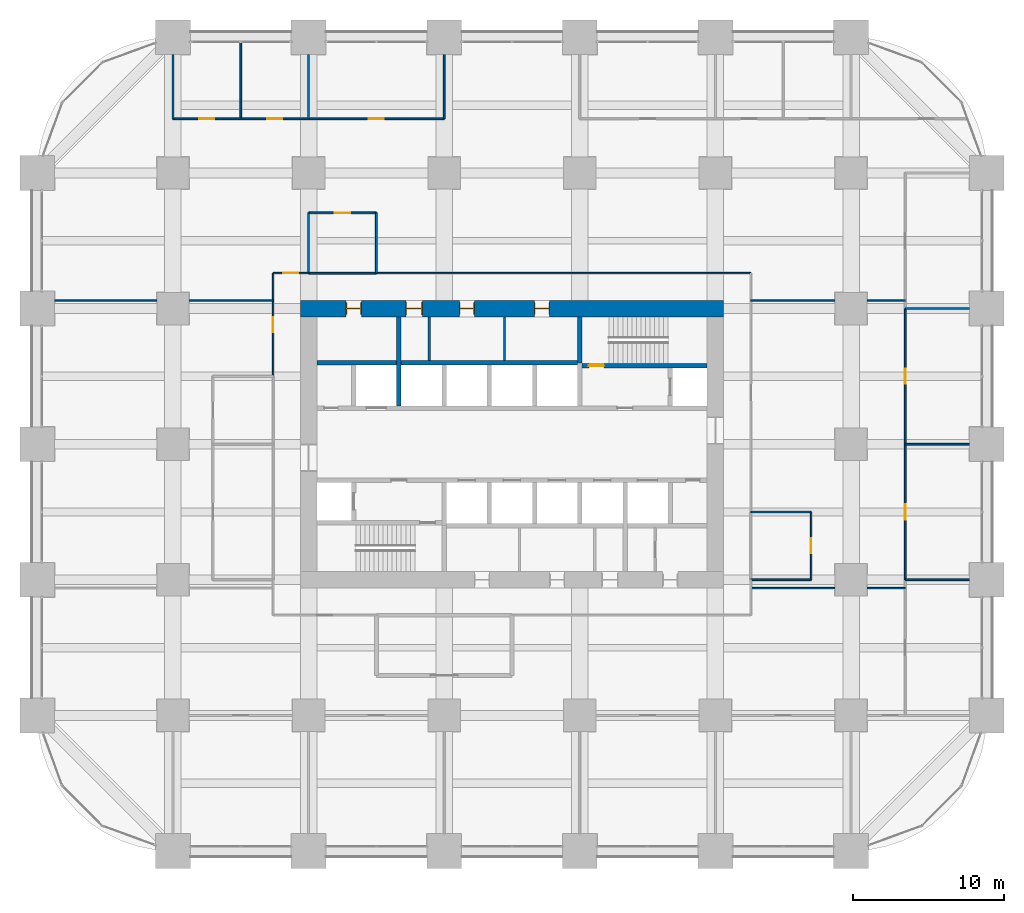
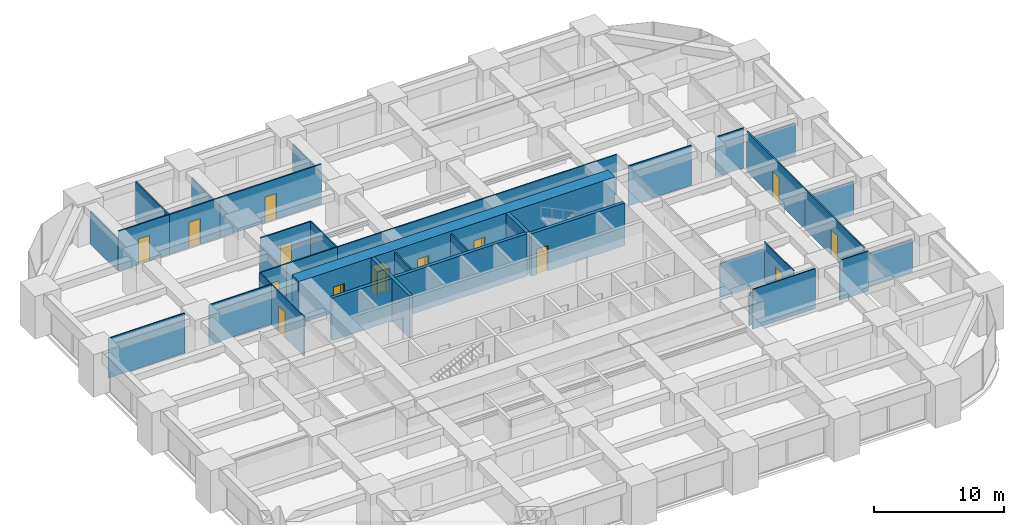
# One storey, part 41 of 44: 35 walls, 14 doors, 14 openings.
"""IFC4 building model written with IfcOpenShell, lengths in metres."""

from ifc_helpers import new_model, si_unit, direction, frame, frame_2d, origin, place, context, subcontext, project, spatial, rectangle, extrude, material, layer, layer_set, type_object, element, fill, save


model = new_model("IFC4")

# Units and contexts
model_context = context("Model", 3, precision=1e-05, world=origin(), true_north=direction((0.0, 1.0)))
body_context = subcontext(model_context, "Body", "Model", "MODEL_VIEW")
ifc_project = project(units=[si_unit("LENGTHUNIT", "METRE"), si_unit("AREAUNIT", "SQUARE_METRE"), si_unit("VOLUMEUNIT", "CUBIC_METRE"), si_unit("PLANEANGLEUNIT", "RADIAN"), si_unit("MASSUNIT", "GRAM", prefix="KILO")], contexts=[model_context])

# Site, building, storey
site_placement = place(None, origin())
site = spatial("IfcSite", under=ifc_project, at=site_placement, CompositionType="ELEMENT")
building_placement = place(site_placement, origin())
building = spatial("IfcBuilding", under=site, at=building_placement, Name="Zorevar Civic Tower", CompositionType="ELEMENT")
storey_placement = place(building_placement, frame((0.0, 0.0, 55.800048828125)))
storey = spatial("IfcBuildingStorey", under=building, at=storey_placement, Name="L13", CompositionType="ELEMENT", Elevation=55.800048828125)

# Wall, openings, doors
ifc_material_1 = material(Name="Concrete C50/60", Category="concrete")
ifc_layer_1 = layer(ifc_material_1, 1.10009765625)
ifc_layer_set_1 = layer_set([ifc_layer_1], Name="Core wall 1100")
wall_type_1 = type_object("IfcWallType", Name="Core wall 1100", PredefinedType="SHEAR", material=ifc_layer_set_1)
wall_1_placement = place(storey_placement, frame((45.550048828125, 36.0, 0.0), z_axis=(0.0, 0.0, 1.0), x_axis=(-1.0, 0.0, 0.0)))
wall_1 = element("IfcWall", 1, at=wall_1_placement, inside=storey, type_object=wall_type_1, Name="Core wall N L13", PredefinedType="SHEAR", context=body_context, shape_type="SweptSolid", body=[
    extrude(rectangle(XDim=28.10009765625, YDim=1.10009765625, at=frame_2d((14.050048828125, 0.0))), origin(), (0.0, 0.0, 1.0), 4.0),
])
opening_1_placement = place(wall_1_placement, frame((11.550048828125, 0.0, 0.0)))
opening_1 = element("IfcOpeningElement", 2, at=opening_1_placement, cuts=wall_1, Name="Opening L13.07", PredefinedType="OPENING", context=body_context, shape_type="SweptSolid", body=[
    extrude(rectangle(XDim=1.0, YDim=2.39990234375, at=frame_2d((0.5, 1.199951171875))), frame((0.0, 0.56005859375, 0.0), z_axis=(0.0, -1.0, 0.0), x_axis=(1.0, 0.0, 0.0)), (0.0, 0.0, 1.0), 1.1201171875),
])
opening_2_placement = place(wall_1_placement, frame((16.550048828125, 0.0, 0.0)))
opening_2 = element("IfcOpeningElement", 3, at=opening_2_placement, cuts=wall_1, Name="Opening L13.08", PredefinedType="OPENING", context=body_context, shape_type="SweptSolid", body=[
    extrude(rectangle(XDim=1.0, YDim=2.39990234375, at=frame_2d((0.5, 1.199951171875))), frame((0.0, 0.56005859375, 0.0), z_axis=(0.0, -1.0, 0.0), x_axis=(1.0, 0.0, 0.0)), (0.0, 0.0, 1.0), 1.1201171875),
])
opening_3_placement = place(wall_1_placement, frame((20.0, 0.0, 0.0)))
opening_3 = element("IfcOpeningElement", 4, at=opening_3_placement, cuts=wall_1, Name="Opening L13.09", PredefinedType="OPENING", context=body_context, shape_type="SweptSolid", body=[
    extrude(rectangle(XDim=1.10009765625, YDim=2.39990234375, at=frame_2d((0.550048828125, 1.199951171875))), frame((0.0, 0.56005859375, 0.0), z_axis=(0.0, -1.0, 0.0), x_axis=(1.0, 0.0, 0.0)), (0.0, 0.0, 1.0), 1.1201171875),
])
opening_4_placement = place(wall_1_placement, frame((24.050048828125, 0.0, 0.0)))
opening_4 = element("IfcOpeningElement", 5, at=opening_4_placement, cuts=wall_1, Name="Opening L13.10", PredefinedType="OPENING", context=body_context, shape_type="SweptSolid", body=[
    extrude(rectangle(XDim=1.0, YDim=2.39990234375, at=frame_2d((0.5, 1.199951171875))), frame((0.0, 0.56005859375, 0.0), z_axis=(0.0, -1.0, 0.0), x_axis=(1.0, 0.0, 0.0)), (0.0, 0.0, 1.0), 1.1201171875),
])
ifc_material_2 = material(Name="Timber door set", Category="wood")
door_type_1 = type_object("IfcDoorType", Name="Door D1 1000x2400", OperationType="SINGLE_SWING_LEFT", PredefinedType="DOOR", material=ifc_material_2)
door_1_placement = place(opening_1_placement, origin())
door_1 = element("IfcDoor", 6, at=door_1_placement, inside=storey, type_object=door_type_1, Name="Door L13 06", OperationType="SINGLE_SWING_RIGHT", OverallHeight=2.39990234375, OverallWidth=1.0, PredefinedType="DOOR", context=body_context, shape_type="SweptSolid", body=[
    extrude(rectangle(XDim=1.0, YDim=2.39990234375, at=frame_2d((0.5, 1.199951171875))), frame((0.0, 0.02490234375, 0.0), z_axis=(0.0, -1.0, 0.0), x_axis=(1.0, 0.0, 0.0)), (0.0, 0.0, 1.0), 0.050048828125),
    extrude(rectangle(XDim=0.04, YDim=2.39990234375, at=frame_2d((0.02001953125, 1.199951171875))), frame((0.0, 0.39990234375, 0.0), z_axis=(0.0, -1.0, 0.0), x_axis=(1.0, 0.0, 0.0)), (0.0, 0.0, 1.0), 0.800048828125),
    extrude(rectangle(XDim=0.04, YDim=2.39990234375, at=frame_2d((0.97998046875, 1.199951171875))), frame((0.0, 0.39990234375, 0.0), z_axis=(0.0, -1.0, 0.0), x_axis=(1.0, 0.0, 0.0)), (0.0, 0.0, 1.0), 0.800048828125),
    extrude(rectangle(XDim=1.0, YDim=0.04, at=frame_2d((0.5, 2.3798828125))), frame((0.0, 0.39990234375, 0.0), z_axis=(0.0, -1.0, 0.0), x_axis=(1.0, 0.0, 0.0)), (0.0, 0.0, 1.0), 0.800048828125),
])
fill(opening_1, door_1)
door_2_placement = place(opening_2_placement, origin())
door_2 = element("IfcDoor", 7, at=door_2_placement, inside=storey, type_object=door_type_1, Name="Door L13 07", OperationType="SINGLE_SWING_LEFT", OverallHeight=2.39990234375, OverallWidth=1.0, PredefinedType="DOOR", context=body_context, shape_type="SweptSolid", body=[
    extrude(rectangle(XDim=1.0, YDim=2.39990234375, at=frame_2d((0.5, 1.199951171875))), frame((0.0, 0.02490234375, 0.0), z_axis=(0.0, -1.0, 0.0), x_axis=(1.0, 0.0, 0.0)), (0.0, 0.0, 1.0), 0.050048828125),
    extrude(rectangle(XDim=0.04, YDim=2.39990234375, at=frame_2d((0.02001953125, 1.199951171875))), frame((0.0, 0.39990234375, 0.0), z_axis=(0.0, -1.0, 0.0), x_axis=(1.0, 0.0, 0.0)), (0.0, 0.0, 1.0), 0.800048828125),
    extrude(rectangle(XDim=0.04, YDim=2.39990234375, at=frame_2d((0.97998046875, 1.199951171875))), frame((0.0, 0.39990234375, 0.0), z_axis=(0.0, -1.0, 0.0), x_axis=(1.0, 0.0, 0.0)), (0.0, 0.0, 1.0), 0.800048828125),
    extrude(rectangle(XDim=1.0, YDim=0.04, at=frame_2d((0.5, 2.3798828125))), frame((0.0, 0.39990234375, 0.0), z_axis=(0.0, -1.0, 0.0), x_axis=(1.0, 0.0, 0.0)), (0.0, 0.0, 1.0), 0.800048828125),
])
fill(opening_2, door_2)
door_3_placement = place(opening_4_placement, origin())
door_3 = element("IfcDoor", 8, at=door_3_placement, inside=storey, type_object=door_type_1, Name="Door L13 09", OperationType="SINGLE_SWING_LEFT", OverallHeight=2.39990234375, OverallWidth=1.0, PredefinedType="DOOR", context=body_context, shape_type="SweptSolid", body=[
    extrude(rectangle(XDim=1.0, YDim=2.39990234375, at=frame_2d((0.5, 1.199951171875))), frame((0.0, 0.02490234375, 0.0), z_axis=(0.0, -1.0, 0.0), x_axis=(1.0, 0.0, 0.0)), (0.0, 0.0, 1.0), 0.050048828125),
    extrude(rectangle(XDim=0.04, YDim=2.39990234375, at=frame_2d((0.02001953125, 1.199951171875))), frame((0.0, 0.39990234375, 0.0), z_axis=(0.0, -1.0, 0.0), x_axis=(1.0, 0.0, 0.0)), (0.0, 0.0, 1.0), 0.800048828125),
    extrude(rectangle(XDim=0.04, YDim=2.39990234375, at=frame_2d((0.97998046875, 1.199951171875))), frame((0.0, 0.39990234375, 0.0), z_axis=(0.0, -1.0, 0.0), x_axis=(1.0, 0.0, 0.0)), (0.0, 0.0, 1.0), 0.800048828125),
    extrude(rectangle(XDim=1.0, YDim=0.04, at=frame_2d((0.5, 2.3798828125))), frame((0.0, 0.39990234375, 0.0), z_axis=(0.0, -1.0, 0.0), x_axis=(1.0, 0.0, 0.0)), (0.0, 0.0, 1.0), 0.800048828125),
])
fill(opening_4, door_3)
ifc_material_3 = material(Name="Timber door set", Category="wood")
door_type_2 = type_object("IfcDoorType", Name="Door D5 1100x2400", OperationType="SINGLE_SWING_LEFT", PredefinedType="DOOR", material=ifc_material_3)
door_4_placement = place(opening_3_placement, origin())
door_4 = element("IfcDoor", 9, at=door_4_placement, inside=storey, type_object=door_type_2, Name="Door L13 08", OperationType="SINGLE_SWING_LEFT", OverallHeight=2.39990234375, OverallWidth=1.10009765625, PredefinedType="DOOR", context=body_context, shape_type="SweptSolid", body=[
    extrude(rectangle(XDim=1.10009765625, YDim=2.39990234375, at=frame_2d((0.550048828125, 1.199951171875))), frame((0.0, 0.02490234375, 0.0), z_axis=(0.0, -1.0, 0.0), x_axis=(1.0, 0.0, 0.0)), (0.0, 0.0, 1.0), 0.050048828125),
    extrude(rectangle(XDim=0.04, YDim=2.39990234375, at=frame_2d((0.02001953125, 1.199951171875))), frame((0.0, 0.43994140625, 0.0), z_axis=(0.0, -1.0, 0.0), x_axis=(1.0, 0.0, 0.0)), (0.0, 0.0, 1.0), 0.880126953125),
    extrude(rectangle(XDim=0.04, YDim=2.39990234375, at=frame_2d((1.080078125, 1.199951171875))), frame((0.0, 0.43994140625, 0.0), z_axis=(0.0, -1.0, 0.0), x_axis=(1.0, 0.0, 0.0)), (0.0, 0.0, 1.0), 0.880126953125),
    extrude(rectangle(XDim=1.10009765625, YDim=0.04, at=frame_2d((0.550048828125, 2.3798828125))), frame((0.0, 0.43994140625, 0.0), z_axis=(0.0, -1.0, 0.0), x_axis=(1.0, 0.0, 0.0)), (0.0, 0.0, 1.0), 0.880126953125),
])
fill(opening_3, door_4)

# Walls
ifc_material_4 = material(Name="Laminated glass in black aluminium frame", Category="aluminium")
ifc_layer_2 = layer(ifc_material_4, 0.10009765625)
ifc_layer_set_2 = layer_set([ifc_layer_2], Name="Glazed partition 100")
wall_type_2 = type_object("IfcWallType", Name="Glazed partition 100", PredefinedType="PARTITIONING", material=ifc_layer_set_2)
wall_2_placement = place(storey_placement, frame((47.35009765625, 17.449951171875, 0.0), z_axis=(0.0, 0.0, 1.0), x_axis=(1.0, 0.0, 0.0)))
element("IfcWall", 10, at=wall_2_placement, inside=storey, type_object=wall_type_2, Name="Glazed partition 100 L13", PredefinedType="PARTITIONING", context=body_context, shape_type="SweptSolid", body=[
    extrude(rectangle(XDim=5.574951171875, YDim=0.10009765625, at=frame_2d((2.78759765625, 0.0))), origin(), (0.0, 0.0, 1.0), 3.75),
])
wall_3_placement = place(storey_placement, frame((55.074951171875, 17.449951171875, 0.0), z_axis=(0.0, 0.0, 1.0), x_axis=(1.0, 0.0, 0.0)))
element("IfcWall", 11, at=wall_3_placement, inside=storey, type_object=wall_type_2, Name="Glazed partition 100 L13", PredefinedType="PARTITIONING", context=body_context, shape_type="SweptSolid", body=[
    extrude(rectangle(XDim=2.53515625, YDim=0.10009765625, at=frame_2d((1.267578125, 0.0))), origin(), (0.0, 0.0, 1.0), 3.75),
])
wall_4_placement = place(storey_placement, frame((1.14990234375, 36.550048828125, 0.0), z_axis=(0.0, 0.0, 1.0), x_axis=(1.0, 0.0, 0.0)))
element("IfcWall", 12, at=wall_4_placement, inside=storey, type_object=wall_type_2, Name="Glazed partition 100 L13", PredefinedType="PARTITIONING", context=body_context, shape_type="SweptSolid", body=[
    extrude(rectangle(XDim=6.775146484375, YDim=0.10009765625, at=frame_2d((3.3876953125, 0.0))), origin(), (0.0, 0.0, 1.0), 3.75),
])
for number, where, z_axis, x_axis, name in (
    (13, (10.074951171875, 36.550048828125, 0.0), (0.0, 0.0, 1.0), (1.0, 0.0, 0.0), "Glazed partition 100 L13"),
    (14, (47.35009765625, 36.550048828125, 0.0), (0.0, 0.0, 1.0), (1.0, 0.0, 0.0), "Glazed partition 100 L13"),
):
    element("IfcWall", number, at=place(storey_placement, frame(where, z_axis=z_axis, x_axis=x_axis)), inside=storey, type_object=wall_type_2, Name=name, PredefinedType="PARTITIONING", context=body_context, shape_type="SweptSolid", body=[
        extrude(rectangle(XDim=5.574951171875, YDim=0.10009765625, at=frame_2d((2.78759765625, 0.0))), origin(), (0.0, 0.0, 1.0), 3.75),
    ])
wall_5_placement = place(storey_placement, frame((55.074951171875, 36.550048828125, 0.0), z_axis=(0.0, 0.0, 1.0), x_axis=(1.0, 0.0, 0.0)))
element("IfcWall", 15, at=wall_5_placement, inside=storey, type_object=wall_type_2, Name="Glazed partition 100 L13", PredefinedType="PARTITIONING", context=body_context, shape_type="SweptSolid", body=[
    extrude(rectangle(XDim=2.53515625, YDim=0.10009765625, at=frame_2d((1.267578125, 0.0))), origin(), (0.0, 0.0, 1.0), 3.75),
])

# Wall, opening, door
wall_6_placement = place(storey_placement, frame((15.64990234375, 38.35009765625, 0.0), z_axis=(0.0, 0.0, 1.0), x_axis=(1.0, 0.0, 0.0)))
wall_6 = element("IfcWall", 16, at=wall_6_placement, inside=storey, type_object=wall_type_2, Name="Glazed partition 100 L13", PredefinedType="PARTITIONING", context=body_context, shape_type="SweptSolid", body=[
    extrude(rectangle(XDim=2.35009765625, YDim=0.10009765625, at=frame_2d((1.175048828125, 0.0))), origin(), (0.0, 0.0, 1.0), 3.75),
])
opening_5_placement = place(wall_6_placement, frame((0.675048828125, 0.0, 0.0)))
opening_5 = element("IfcOpeningElement", 17, at=opening_5_placement, cuts=wall_6, Name="Opening L13.24", PredefinedType="OPENING", context=body_context, shape_type="SweptSolid", body=[
    extrude(rectangle(XDim=1.0, YDim=2.39990234375, at=frame_2d((0.5, 1.199951171875))), frame((0.0, 0.06005859375, 0.0), z_axis=(0.0, -1.0, 0.0), x_axis=(1.0, 0.0, 0.0)), (0.0, 0.0, 1.0), 0.1201171875),
])
ifc_material_5 = material(Name="Timber door set", Category="wood")
door_type_3 = type_object("IfcDoorType", Name="Glazed door GD1 1000x2400", OperationType="SINGLE_SWING_LEFT", PredefinedType="DOOR", material=ifc_material_5)
door_5_placement = place(opening_5_placement, origin())
door_5 = element("IfcDoor", 18, at=door_5_placement, inside=storey, type_object=door_type_3, Name="Door L13 D1", OperationType="SINGLE_SWING_LEFT", OverallHeight=2.39990234375, OverallWidth=1.0, PredefinedType="DOOR", context=body_context, shape_type="SweptSolid", body=[
    extrude(rectangle(XDim=1.0, YDim=2.39990234375, at=frame_2d((0.5, 1.199951171875))), frame((0.0, 0.02001953125, 0.0), z_axis=(0.0, -1.0, 0.0), x_axis=(1.0, 0.0, 0.0)), (0.0, 0.0, 1.0), 0.0400390625),
])
fill(opening_5, door_5)

# Wall
wall_7_placement = place(storey_placement, frame((22.5, 38.35009765625, 0.0), z_axis=(0.0, 0.0, 1.0), x_axis=(1.0, 0.0, 0.0)))
element("IfcWall", 19, at=wall_7_placement, inside=storey, type_object=wall_type_2, Name="Glazed partition 100 L13", PredefinedType="PARTITIONING", context=body_context, shape_type="SweptSolid", body=[
    extrude(rectangle(XDim=24.85009765625, YDim=0.10009765625, at=frame_2d((12.425048828125, 0.0))), origin(), (0.0, 0.0, 1.0), 3.75),
])

# Wall, opening, door
wall_8_placement = place(storey_placement, frame((15.64990234375, 31.5, 0.0), z_axis=(0.0, 0.0, 1.0), x_axis=(0.0, 1.0, 0.0)))
wall_8 = element("IfcWall", 20, at=wall_8_placement, inside=storey, type_object=wall_type_2, Name="Glazed partition 100 L13", PredefinedType="PARTITIONING", context=body_context, shape_type="SweptSolid", body=[
    extrude(rectangle(XDim=6.85009765625, YDim=0.10009765625, at=frame_2d((3.425048828125, 0.0))), origin(), (0.0, 0.0, 1.0), 3.75),
])
opening_6_placement = place(wall_8_placement, frame((2.925048828125, 0.0, 0.0)))
opening_6 = element("IfcOpeningElement", 21, at=opening_6_placement, cuts=wall_8, Name="Opening L13.35", PredefinedType="OPENING", context=body_context, shape_type="SweptSolid", body=[
    extrude(rectangle(XDim=1.0, YDim=2.39990234375, at=frame_2d((0.5, 1.199951171875))), frame((0.0, 0.06005859375, 0.0), z_axis=(0.0, -1.0, 0.0), x_axis=(1.0, 0.0, 0.0)), (0.0, 0.0, 1.0), 0.1201171875),
])
door_6_placement = place(opening_6_placement, origin())
door_6 = element("IfcDoor", 22, at=door_6_placement, inside=storey, type_object=door_type_3, Name="Door L13 D1", OperationType="SINGLE_SWING_LEFT", OverallHeight=2.39990234375, OverallWidth=1.0, PredefinedType="DOOR", context=body_context, shape_type="SweptSolid", body=[
    extrude(rectangle(XDim=1.0, YDim=2.39990234375, at=frame_2d((0.5, 1.199951171875))), frame((0.0, 0.02001953125, 0.0), z_axis=(0.0, -1.0, 0.0), x_axis=(1.0, 0.0, 0.0)), (0.0, 0.0, 1.0), 0.0400390625),
])
fill(opening_6, door_6)

wall_9_placement = place(storey_placement, frame((51.35009765625, 18.0, 0.0), z_axis=(0.0, 0.0, 1.0), x_axis=(0.0, 1.0, 0.0)))
wall_9 = element("IfcWall", 23, at=wall_9_placement, inside=storey, type_object=wall_type_2, Name="Glazed partition 100 L13", PredefinedType="PARTITIONING", context=body_context, shape_type="SweptSolid", body=[
    extrude(rectangle(XDim=4.5, YDim=0.10009765625, at=frame_2d((2.25, 0.0))), origin(), (0.0, 0.0, 1.0), 3.75),
])
opening_7_placement = place(wall_9_placement, frame((1.75, 0.0, 0.0)))
opening_7 = element("IfcOpeningElement", 24, at=opening_7_placement, cuts=wall_9, Name="Opening L13.37", PredefinedType="OPENING", context=body_context, shape_type="SweptSolid", body=[
    extrude(rectangle(XDim=1.0, YDim=2.39990234375, at=frame_2d((0.5, 1.199951171875))), frame((0.0, 0.06005859375, 0.0), z_axis=(0.0, -1.0, 0.0), x_axis=(1.0, 0.0, 0.0)), (0.0, 0.0, 1.0), 0.1201171875),
])
door_7_placement = place(opening_7_placement, origin())
door_7 = element("IfcDoor", 25, at=door_7_placement, inside=storey, type_object=door_type_3, Name="Door L13 D1", OperationType="SINGLE_SWING_LEFT", OverallHeight=2.39990234375, OverallWidth=1.0, PredefinedType="DOOR", context=body_context, shape_type="SweptSolid", body=[
    extrude(rectangle(XDim=1.0, YDim=2.39990234375, at=frame_2d((0.5, 1.199951171875))), frame((0.0, 0.02001953125, 0.0), z_axis=(0.0, -1.0, 0.0), x_axis=(1.0, 0.0, 0.0)), (0.0, 0.0, 1.0), 0.0400390625),
])
fill(opening_7, door_7)

ifc_material_6 = material(Name="Concrete C40/50", Category="concrete")
ifc_layer_3 = layer(ifc_material_6, 0.300048828125)
ifc_layer_set_3 = layer_set([ifc_layer_3], Name="Inner core wall 300")
wall_type_3 = type_object("IfcWallType", Name="Inner core wall 300", PredefinedType="SHEAR", material=ifc_layer_set_3)
wall_10_placement = place(storey_placement, frame((36.14990234375, 32.199951171875, 0.0), z_axis=(0.0, 0.0, 1.0), x_axis=(1.0, 0.0, 0.0)))
wall_10 = element("IfcWall", 26, at=wall_10_placement, inside=storey, type_object=wall_type_3, Name="Inner core wall N00 L13", PredefinedType="SHEAR", context=body_context, shape_type="SweptSolid", body=[
    extrude(rectangle(XDim=8.300048828125, YDim=0.300048828125, at=frame_2d((4.14990234375, 0.0))), origin(), (0.0, 0.0, 1.0), 4.0),
])
opening_8_placement = place(wall_10_placement, frame((0.449951171875, 0.0, 0.0)))
opening_8 = element("IfcOpeningElement", 27, at=opening_8_placement, cuts=wall_10, Name="Opening L13.12", PredefinedType="OPENING", context=body_context, shape_type="SweptSolid", body=[
    extrude(rectangle(XDim=1.0, YDim=2.39990234375, at=frame_2d((0.5, 1.199951171875))), frame((0.0, 0.159912109375, 0.0), z_axis=(0.0, -1.0, 0.0), x_axis=(1.0, 0.0, 0.0)), (0.0, 0.0, 1.0), 0.320068359375),
])
ifc_material_7 = material(Name="Steel door set", Category="steel")
door_type_4 = type_object("IfcDoorType", Name="Fire door FD1 1000x2400", OperationType="SINGLE_SWING_LEFT", PredefinedType="DOOR", material=ifc_material_7)
door_8_placement = place(opening_8_placement, origin())
door_8 = element("IfcDoor", 28, at=door_8_placement, inside=storey, type_object=door_type_4, Name="Door L13 11", OperationType="SINGLE_SWING_RIGHT", OverallHeight=2.39990234375, OverallWidth=1.0, PredefinedType="DOOR", context=body_context, shape_type="SweptSolid", body=[
    extrude(rectangle(XDim=1.0, YDim=2.39990234375, at=frame_2d((0.5, 1.199951171875))), frame((0.0, 0.030029296875, 0.0), z_axis=(0.0, -1.0, 0.0), x_axis=(1.0, 0.0, 0.0)), (0.0, 0.0, 1.0), 0.06005859375),
])
fill(opening_8, door_8)

# Walls
wall_11_placement = place(storey_placement, frame((36.0, 32.39990234375, 0.0), z_axis=(0.0, 0.0, 1.0), x_axis=(0.0, 1.0, 0.0)))
element("IfcWall", 29, at=wall_11_placement, inside=storey, type_object=wall_type_3, Name="Inner core wall N01 L13", PredefinedType="SHEAR", context=body_context, shape_type="SweptSolid", body=[
    extrude(rectangle(XDim=3.050048828125, YDim=0.300048828125, at=frame_2d((1.52490234375, 0.0))), origin(), (0.0, 0.0, 1.0), 4.0),
])
wall_12_placement = place(storey_placement, frame((18.550048828125, 32.39990234375, 0.0), z_axis=(0.0, 0.0, 1.0), x_axis=(1.0, 0.0, 0.0)))
element("IfcWall", 30, at=wall_12_placement, inside=storey, type_object=wall_type_3, Name="Inner core wall N04 L13", PredefinedType="SHEAR", context=body_context, shape_type="SweptSolid", body=[
    extrude(rectangle(XDim=17.300048828125, YDim=0.300048828125, at=frame_2d((8.64990234375, 0.0))), origin(), (0.0, 0.0, 1.0), 4.0),
])
wall_13_placement = place(storey_placement, frame((24.0, 29.550048828125, 0.0), z_axis=(0.0, 0.0, 1.0), x_axis=(0.0, 1.0, 0.0)))
element("IfcWall", 31, at=wall_13_placement, inside=storey, type_object=wall_type_3, Name="Inner core wall N08 L13", PredefinedType="SHEAR", context=body_context, shape_type="SweptSolid", body=[
    extrude(rectangle(XDim=5.89990234375, YDim=0.300048828125, at=frame_2d((2.949951171875, 0.0))), origin(), (0.0, 0.0, 1.0), 4.0),
])
ifc_material_8 = material(Name="Gypsum board on steel studs", Category="steel")
ifc_layer_4 = layer(ifc_material_8, 0.1201171875)
ifc_layer_set_4 = layer_set([ifc_layer_4], Name="Partition 120")
wall_type_4 = type_object("IfcWallType", Name="Partition 120", PredefinedType="PARTITIONING", material=ifc_layer_set_4)
wall_14_placement = place(storey_placement, frame((57.60009765625, 18.0, 0.0), z_axis=(0.0, 0.0, 1.0), x_axis=(1.0, 0.0, 0.0)))
element("IfcWall", 32, at=wall_14_placement, inside=storey, type_object=wall_type_4, Name="Partition 120 L13", PredefinedType="PARTITIONING", context=body_context, shape_type="SweptSolid", body=[
    extrude(rectangle(XDim=4.25, YDim=0.1201171875, at=frame_2d((2.125, 0.0))), origin(), (0.0, 0.0, 1.0), 3.050048828125),
])
wall_15_placement = place(storey_placement, frame((47.35009765625, 18.0, 0.0), z_axis=(0.0, 0.0, 1.0), x_axis=(1.0, 0.0, 0.0)))
element("IfcWall", 33, at=wall_15_placement, inside=storey, type_object=wall_type_4, Name="Partition 120 L13", PredefinedType="PARTITIONING", context=body_context, shape_type="SweptSolid", body=[
    extrude(rectangle(XDim=4.0, YDim=0.1201171875, at=frame_2d((2.0, 0.0))), origin(), (0.0, 0.0, 1.0), 3.050048828125),
])
wall_16_placement = place(storey_placement, frame((47.35009765625, 22.5, 0.0), z_axis=(0.0, 0.0, 1.0), x_axis=(1.0, 0.0, 0.0)))
element("IfcWall", 34, at=wall_16_placement, inside=storey, type_object=wall_type_4, Name="Partition 120 L13", PredefinedType="PARTITIONING", context=body_context, shape_type="SweptSolid", body=[
    extrude(rectangle(XDim=4.0, YDim=0.1201171875, at=frame_2d((2.0, 0.0))), origin(), (0.0, 0.0, 1.0), 3.099853515625),
])
for number, where, z_axis, x_axis, name in (
    (35, (57.60009765625, 27.0, 0.0), (0.0, 0.0, 1.0), (1.0, 0.0, 0.0), "Partition 120 L13"),
    (36, (57.60009765625, 36.0, 0.0), (0.0, 0.0, 1.0), (1.0, 0.0, 0.0), "Partition 120 L13"),
):
    element("IfcWall", number, at=place(storey_placement, frame(where, z_axis=z_axis, x_axis=x_axis)), inside=storey, type_object=wall_type_4, Name=name, PredefinedType="PARTITIONING", context=body_context, shape_type="SweptSolid", body=[
        extrude(rectangle(XDim=4.25, YDim=0.1201171875, at=frame_2d((2.125, 0.0))), origin(), (0.0, 0.0, 1.0), 3.050048828125),
    ])
wall_17_placement = place(storey_placement, frame((18.0, 38.35009765625, 0.0), z_axis=(0.0, 0.0, 1.0), x_axis=(1.0, 0.0, 0.0)))
element("IfcWall", 37, at=wall_17_placement, inside=storey, type_object=wall_type_4, Name="Partition 120 L13", PredefinedType="PARTITIONING", context=body_context, shape_type="SweptSolid", body=[
    extrude(rectangle(XDim=4.5, YDim=0.1201171875, at=frame_2d((2.25, 0.0))), origin(), (0.0, 0.0, 1.0), 3.75),
])

# Wall, opening, door
wall_18_placement = place(storey_placement, frame((18.0, 42.35009765625, 0.0), z_axis=(0.0, 0.0, 1.0), x_axis=(1.0, 0.0, 0.0)))
wall_18 = element("IfcWall", 38, at=wall_18_placement, inside=storey, type_object=wall_type_4, Name="Partition 120 L13", PredefinedType="PARTITIONING", context=body_context, shape_type="SweptSolid", body=[
    extrude(rectangle(XDim=4.5, YDim=0.1201171875, at=frame_2d((2.25, 0.0))), origin(), (0.0, 0.0, 1.0), 3.75),
])
opening_9_placement = place(wall_18_placement, frame((1.75, 0.0, 0.0)))
opening_9 = element("IfcOpeningElement", 39, at=opening_9_placement, cuts=wall_18, Name="Opening L13.25", PredefinedType="OPENING", context=body_context, shape_type="SweptSolid", body=[
    extrude(rectangle(XDim=1.0, YDim=2.39990234375, at=frame_2d((0.5, 1.199951171875))), frame((0.0, 0.070068359375, 0.0), z_axis=(0.0, -1.0, 0.0), x_axis=(1.0, 0.0, 0.0)), (0.0, 0.0, 1.0), 0.14013671875),
])
door_9_placement = place(opening_9_placement, origin())
door_9 = element("IfcDoor", 40, at=door_9_placement, inside=storey, type_object=door_type_1, Name="Door L13 D1", OperationType="SINGLE_SWING_RIGHT", OverallHeight=2.39990234375, OverallWidth=1.0, PredefinedType="DOOR", context=body_context, shape_type="SweptSolid", body=[
    extrude(rectangle(XDim=1.0, YDim=2.39990234375, at=frame_2d((0.5, 1.199951171875))), frame((0.0, 0.02490234375, 0.0), z_axis=(0.0, -1.0, 0.0), x_axis=(1.0, 0.0, 0.0)), (0.0, 0.0, 1.0), 0.050048828125),
])
fill(opening_9, door_9)

wall_19_placement = place(storey_placement, frame((9.0, 48.60009765625, 0.0), z_axis=(0.0, 0.0, 1.0), x_axis=(1.0, 0.0, 0.0)))
wall_19 = element("IfcWall", 41, at=wall_19_placement, inside=storey, type_object=wall_type_4, Name="Partition 120 L13", PredefinedType="PARTITIONING", context=body_context, shape_type="SweptSolid", body=[
    extrude(rectangle(XDim=4.5, YDim=0.1201171875, at=frame_2d((2.25, 0.0))), origin(), (0.0, 0.0, 1.0), 3.75),
])
opening_10_placement = place(wall_19_placement, frame((1.75, 0.0, 0.0)))
opening_10 = element("IfcOpeningElement", 42, at=opening_10_placement, cuts=wall_19, Name="Opening L13.26", PredefinedType="OPENING", context=body_context, shape_type="SweptSolid", body=[
    extrude(rectangle(XDim=1.0, YDim=2.39990234375, at=frame_2d((0.5, 1.199951171875))), frame((0.0, 0.070068359375, 0.0), z_axis=(0.0, -1.0, 0.0), x_axis=(1.0, 0.0, 0.0)), (0.0, 0.0, 1.0), 0.14013671875),
])
door_10_placement = place(opening_10_placement, origin())
door_10 = element("IfcDoor", 43, at=door_10_placement, inside=storey, type_object=door_type_1, Name="Door L13 D1", OperationType="SINGLE_SWING_LEFT", OverallHeight=2.39990234375, OverallWidth=1.0, PredefinedType="DOOR", context=body_context, shape_type="SweptSolid", body=[
    extrude(rectangle(XDim=1.0, YDim=2.39990234375, at=frame_2d((0.5, 1.199951171875))), frame((0.0, 0.02490234375, 0.0), z_axis=(0.0, -1.0, 0.0), x_axis=(1.0, 0.0, 0.0)), (0.0, 0.0, 1.0), 0.050048828125),
])
fill(opening_10, door_10)

wall_20_placement = place(storey_placement, frame((13.5, 48.60009765625, 0.0), z_axis=(0.0, 0.0, 1.0), x_axis=(1.0, 0.0, 0.0)))
wall_20 = element("IfcWall", 44, at=wall_20_placement, inside=storey, type_object=wall_type_4, Name="Partition 120 L13", PredefinedType="PARTITIONING", context=body_context, shape_type="SweptSolid", body=[
    extrude(rectangle(XDim=4.5, YDim=0.1201171875, at=frame_2d((2.25, 0.0))), origin(), (0.0, 0.0, 1.0), 3.75),
])
opening_11_placement = place(wall_20_placement, frame((1.75, 0.0, 0.0)))
opening_11 = element("IfcOpeningElement", 45, at=opening_11_placement, cuts=wall_20, Name="Opening L13.27", PredefinedType="OPENING", context=body_context, shape_type="SweptSolid", body=[
    extrude(rectangle(XDim=1.0, YDim=2.39990234375, at=frame_2d((0.5, 1.199951171875))), frame((0.0, 0.070068359375, 0.0), z_axis=(0.0, -1.0, 0.0), x_axis=(1.0, 0.0, 0.0)), (0.0, 0.0, 1.0), 0.14013671875),
])
door_11_placement = place(opening_11_placement, origin())
door_11 = element("IfcDoor", 46, at=door_11_placement, inside=storey, type_object=door_type_1, Name="Door L13 D1", OperationType="SINGLE_SWING_LEFT", OverallHeight=2.39990234375, OverallWidth=1.0, PredefinedType="DOOR", context=body_context, shape_type="SweptSolid", body=[
    extrude(rectangle(XDim=1.0, YDim=2.39990234375, at=frame_2d((0.5, 1.199951171875))), frame((0.0, 0.02490234375, 0.0), z_axis=(0.0, -1.0, 0.0), x_axis=(1.0, 0.0, 0.0)), (0.0, 0.0, 1.0), 0.050048828125),
])
fill(opening_11, door_11)

wall_21_placement = place(storey_placement, frame((18.0, 48.60009765625, 0.0), z_axis=(0.0, 0.0, 1.0), x_axis=(1.0, 0.0, 0.0)))
wall_21 = element("IfcWall", 47, at=wall_21_placement, inside=storey, type_object=wall_type_4, Name="Partition 120 L13", PredefinedType="PARTITIONING", context=body_context, shape_type="SweptSolid", body=[
    extrude(rectangle(XDim=9.0, YDim=0.1201171875, at=frame_2d((4.5, 0.0))), origin(), (0.0, 0.0, 1.0), 3.75),
])
opening_12_placement = place(wall_21_placement, frame((4.0, 0.0, 0.0)))
opening_12 = element("IfcOpeningElement", 48, at=opening_12_placement, cuts=wall_21, Name="Opening L13.28", PredefinedType="OPENING", context=body_context, shape_type="SweptSolid", body=[
    extrude(rectangle(XDim=1.0, YDim=2.39990234375, at=frame_2d((0.5, 1.199951171875))), frame((0.0, 0.070068359375, 0.0), z_axis=(0.0, -1.0, 0.0), x_axis=(1.0, 0.0, 0.0)), (0.0, 0.0, 1.0), 0.14013671875),
])
door_12_placement = place(opening_12_placement, origin())
door_12 = element("IfcDoor", 49, at=door_12_placement, inside=storey, type_object=door_type_1, Name="Door L13 D1", OperationType="SINGLE_SWING_LEFT", OverallHeight=2.39990234375, OverallWidth=1.0, PredefinedType="DOOR", context=body_context, shape_type="SweptSolid", body=[
    extrude(rectangle(XDim=1.0, YDim=2.39990234375, at=frame_2d((0.5, 1.199951171875))), frame((0.0, 0.02490234375, 0.0), z_axis=(0.0, -1.0, 0.0), x_axis=(1.0, 0.0, 0.0)), (0.0, 0.0, 1.0), 0.050048828125),
])
fill(opening_12, door_12)

# Walls
wall_22_placement = place(storey_placement, frame((9.0, 48.60009765625, 0.0), z_axis=(0.0, 0.0, 1.0), x_axis=(0.0, 1.0, 0.0)))
element("IfcWall", 50, at=wall_22_placement, inside=storey, type_object=wall_type_4, Name="Partition 120 L13", PredefinedType="PARTITIONING", context=body_context, shape_type="SweptSolid", body=[
    extrude(rectangle(XDim=4.25, YDim=0.1201171875, at=frame_2d((2.125, 0.0))), origin(), (0.0, 0.0, 1.0), 3.050048828125),
])
wall_23_placement = place(storey_placement, frame((13.5, 48.60009765625, 0.0), z_axis=(0.0, 0.0, 1.0), x_axis=(0.0, 1.0, 0.0)))
element("IfcWall", 51, at=wall_23_placement, inside=storey, type_object=wall_type_4, Name="Partition 120 L13", PredefinedType="PARTITIONING", context=body_context, shape_type="SweptSolid", body=[
    extrude(rectangle(XDim=5.08984375, YDim=0.1201171875, at=frame_2d((2.544921875, 0.0))), origin(), (0.0, 0.0, 1.0), 3.75),
])
wall_24_placement = place(storey_placement, frame((18.0, 48.60009765625, 0.0), z_axis=(0.0, 0.0, 1.0), x_axis=(0.0, 1.0, 0.0)))
element("IfcWall", 52, at=wall_24_placement, inside=storey, type_object=wall_type_4, Name="Partition 120 L13", PredefinedType="PARTITIONING", context=body_context, shape_type="SweptSolid", body=[
    extrude(rectangle(XDim=4.25, YDim=0.1201171875, at=frame_2d((2.125, 0.0))), origin(), (0.0, 0.0, 1.0), 3.050048828125),
])
wall_25_placement = place(storey_placement, frame((18.0, 38.35009765625, 0.0), z_axis=(0.0, 0.0, 1.0), x_axis=(0.0, 1.0, 0.0)))
element("IfcWall", 53, at=wall_25_placement, inside=storey, type_object=wall_type_4, Name="Partition 120 L13", PredefinedType="PARTITIONING", context=body_context, shape_type="SweptSolid", body=[
    extrude(rectangle(XDim=4.0, YDim=0.1201171875, at=frame_2d((2.0, 0.0))), origin(), (0.0, 0.0, 1.0), 3.050048828125),
])
wall_26_placement = place(storey_placement, frame((22.5, 38.35009765625, 0.0), z_axis=(0.0, 0.0, 1.0), x_axis=(0.0, 1.0, 0.0)))
element("IfcWall", 54, at=wall_26_placement, inside=storey, type_object=wall_type_4, Name="Partition 120 L13", PredefinedType="PARTITIONING", context=body_context, shape_type="SweptSolid", body=[
    extrude(rectangle(XDim=4.0, YDim=0.1201171875, at=frame_2d((2.0, 0.0))), origin(), (0.0, 0.0, 1.0), 3.75),
])
wall_27_placement = place(storey_placement, frame((27.0, 48.60009765625, 0.0), z_axis=(0.0, 0.0, 1.0), x_axis=(0.0, 1.0, 0.0)))
element("IfcWall", 55, at=wall_27_placement, inside=storey, type_object=wall_type_4, Name="Partition 120 L13", PredefinedType="PARTITIONING", context=body_context, shape_type="SweptSolid", body=[
    extrude(rectangle(XDim=4.25, YDim=0.1201171875, at=frame_2d((2.125, 0.0))), origin(), (0.0, 0.0, 1.0), 3.050048828125),
])

# Wall, opening, door
wall_28_placement = place(storey_placement, frame((57.60009765625, 18.0, 0.0), z_axis=(0.0, 0.0, 1.0), x_axis=(0.0, 1.0, 0.0)))
wall_28 = element("IfcWall", 56, at=wall_28_placement, inside=storey, type_object=wall_type_4, Name="Partition 120 L13", PredefinedType="PARTITIONING", context=body_context, shape_type="SweptSolid", body=[
    extrude(rectangle(XDim=9.0, YDim=0.1201171875, at=frame_2d((4.5, 0.0))), origin(), (0.0, 0.0, 1.0), 3.75),
])
opening_13_placement = place(wall_28_placement, frame((4.0, 0.0, 0.0)))
opening_13 = element("IfcOpeningElement", 57, at=opening_13_placement, cuts=wall_28, Name="Opening L13.39", PredefinedType="OPENING", context=body_context, shape_type="SweptSolid", body=[
    extrude(rectangle(XDim=1.0, YDim=2.39990234375, at=frame_2d((0.5, 1.199951171875))), frame((0.0, 0.070068359375, 0.0), z_axis=(0.0, -1.0, 0.0), x_axis=(1.0, 0.0, 0.0)), (0.0, 0.0, 1.0), 0.14013671875),
])
door_13_placement = place(opening_13_placement, origin())
door_13 = element("IfcDoor", 58, at=door_13_placement, inside=storey, type_object=door_type_1, Name="Door L13 D1", OperationType="SINGLE_SWING_RIGHT", OverallHeight=2.39990234375, OverallWidth=1.0, PredefinedType="DOOR", context=body_context, shape_type="SweptSolid", body=[
    extrude(rectangle(XDim=1.0, YDim=2.39990234375, at=frame_2d((0.5, 1.199951171875))), frame((0.0, 0.02490234375, 0.0), z_axis=(0.0, -1.0, 0.0), x_axis=(1.0, 0.0, 0.0)), (0.0, 0.0, 1.0), 0.050048828125),
])
fill(opening_13, door_13)

wall_29_placement = place(storey_placement, frame((57.60009765625, 27.0, 0.0), z_axis=(0.0, 0.0, 1.0), x_axis=(0.0, 1.0, 0.0)))
wall_29 = element("IfcWall", 59, at=wall_29_placement, inside=storey, type_object=wall_type_4, Name="Partition 120 L13", PredefinedType="PARTITIONING", context=body_context, shape_type="SweptSolid", body=[
    extrude(rectangle(XDim=9.0, YDim=0.1201171875, at=frame_2d((4.5, 0.0))), origin(), (0.0, 0.0, 1.0), 3.75),
])
opening_14_placement = place(wall_29_placement, frame((4.0, 0.0, 0.0)))
opening_14 = element("IfcOpeningElement", 60, at=opening_14_placement, cuts=wall_29, Name="Opening L13.40", PredefinedType="OPENING", context=body_context, shape_type="SweptSolid", body=[
    extrude(rectangle(XDim=1.0, YDim=2.39990234375, at=frame_2d((0.5, 1.199951171875))), frame((0.0, 0.070068359375, 0.0), z_axis=(0.0, -1.0, 0.0), x_axis=(1.0, 0.0, 0.0)), (0.0, 0.0, 1.0), 0.14013671875),
])
door_14_placement = place(opening_14_placement, origin())
door_14 = element("IfcDoor", 61, at=door_14_placement, inside=storey, type_object=door_type_1, Name="Door L13 D1", OperationType="SINGLE_SWING_LEFT", OverallHeight=2.39990234375, OverallWidth=1.0, PredefinedType="DOOR", context=body_context, shape_type="SweptSolid", body=[
    extrude(rectangle(XDim=1.0, YDim=2.39990234375, at=frame_2d((0.5, 1.199951171875))), frame((0.0, 0.02490234375, 0.0), z_axis=(0.0, -1.0, 0.0), x_axis=(1.0, 0.0, 0.0)), (0.0, 0.0, 1.0), 0.050048828125),
])
fill(opening_14, door_14)

# Walls
ifc_material_9 = material(Name="Gypsum board on steel studs, moisture resistant", Category="steel")
ifc_layer_5 = layer(ifc_material_9, 0.14990234375)
ifc_layer_set_5 = layer_set([ifc_layer_5], Name="WC partition 150")
wall_type_5 = type_object("IfcWallType", Name="WC partition 150", PredefinedType="PARTITIONING", material=ifc_layer_set_5)
for number, where, z_axis, x_axis, name in (
    (62, (31.0, 32.550048828125, 0.0), (0.0, 0.0, 1.0), (0.0, 1.0, 0.0), "WC partition L13"),
    (63, (26.0, 32.550048828125, 0.0), (0.0, 0.0, 1.0), (0.0, 1.0, 0.0), "WC partition L13"),
):
    element("IfcWall", number, at=place(storey_placement, frame(where, z_axis=z_axis, x_axis=x_axis)), inside=storey, type_object=wall_type_5, Name=name, PredefinedType="PARTITIONING", context=body_context, shape_type="SweptSolid", body=[
        extrude(rectangle(XDim=2.89990234375, YDim=0.14990234375, at=frame_2d((1.449951171875, 0.0))), origin(), (0.0, 0.0, 1.0), 3.75),
    ])

save(model, "model.ifc")
